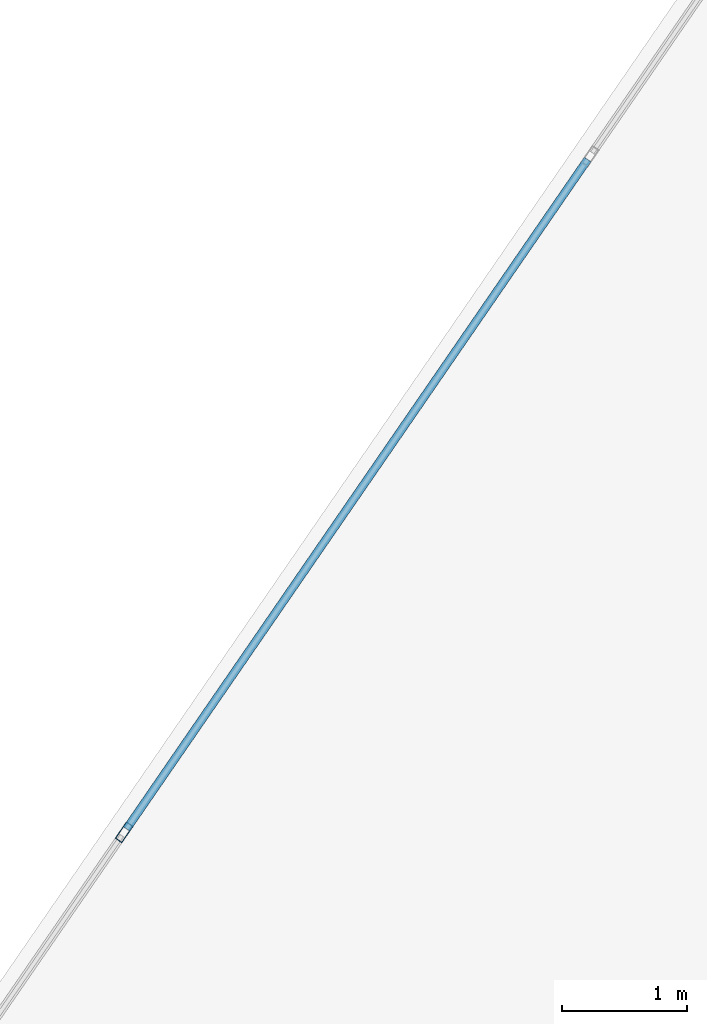
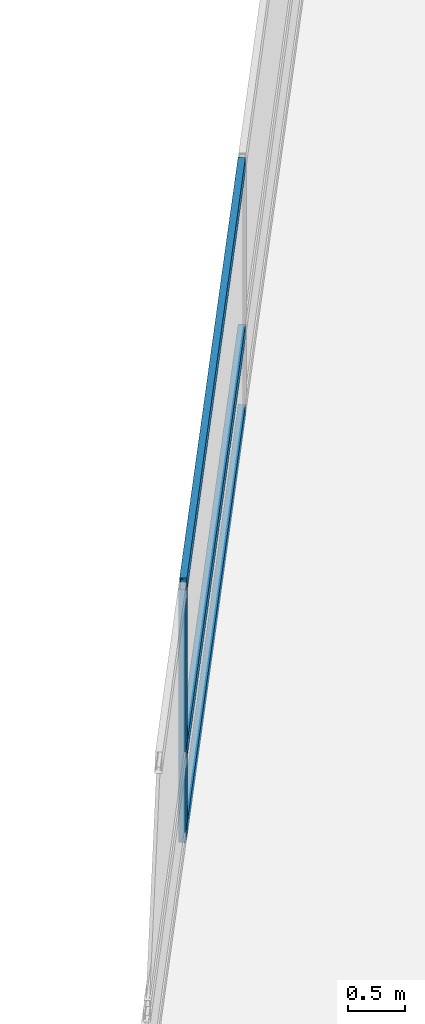
# One storey, part 15 of 26: 4 members, 1 element without a shape of its own.
"""IFC4 building model written with IfcOpenShell, lengths in metres."""

from ifc_helpers import new_model, si_unit, direction, frame, origin, origin_2d, place, context, subcontext, project, spatial, hollow_rectangle, extrude, material, layer, layer_set, material_profile, profile_set, type_object, element, aggregate, save


model = new_model("IFC4")

# Units and contexts
model_context = context("Model", 3, precision=1e-05, world=origin(), true_north=direction((0.0, 1.0)))
body_context = subcontext(model_context, "Body", "Model", "MODEL_VIEW")
ifc_project = project(units=[si_unit("LENGTHUNIT", "METRE"), si_unit("AREAUNIT", "SQUARE_METRE"), si_unit("VOLUMEUNIT", "CUBIC_METRE"), si_unit("PLANEANGLEUNIT", "RADIAN"), si_unit("MASSUNIT", "GRAM", prefix="KILO")], contexts=[model_context])

# Site, building, storey
site_placement = place(None, origin())
site = spatial("IfcSite", under=ifc_project, at=site_placement, CompositionType="ELEMENT")
building_placement = place(site_placement, origin())
building = spatial("IfcBuilding", under=site, at=building_placement, Name="Varnelok Gate Tower", CompositionType="ELEMENT")
storey_placement = place(building_placement, frame((0.0, 0.0, 45.5)))
storey = spatial("IfcBuildingStorey", under=building, at=storey_placement, Name="L10", CompositionType="ELEMENT", Elevation=45.5)

# Curtain wall, members
ifc_material = material(Name="Anodized Aluminum Alloy 6063-T6", Category="aluminium")
ifc_layer = layer(ifc_material, 0.179931640625)
ifc_layer_set = layer_set([ifc_layer], Name="Anodized Aluminum Alloy 6063-T6")
curtain_wall_type = type_object("IfcCurtainWallType", Name="CW3-HOTEL-VISION", PredefinedType="USERDEFINED", material=ifc_layer_set)
curtain_wall_placement = place(storey_placement, origin())
curtain_wall = element("IfcCurtainWall", 1, at=curtain_wall_placement, inside=storey, type_object=curtain_wall_type, Name="L10 West End Vision Curtain Wall", ObjectType="UNITISED CURTAIN WALL", PredefinedType="USERDEFINED")
ifc_material_profile_1 = material_profile(ifc_material, hollow_rectangle(XDim=0.06494140625, YDim=0.159912109375, WallThickness=0.00390625, at=origin_2d()), Name="ALU160X65X4")
ifc_profile_set_1 = profile_set([ifc_material_profile_1], Name="Anodized Aluminum Alloy 6063-T6")
member_type_1 = type_object("IfcMemberType", Name="CW-MULL-160", PredefinedType="MULLION", material=ifc_profile_set_1)
member_1_placement = place(storey_placement, frame((10.7578125, 52.865478515625, 0.0), z_axis=(0.0, 0.0, 1.0), x_axis=(-0.823532685111, 0.567268822124, 0.0)))
member_1 = element("IfcMember", 2, at=member_1_placement, type_object=member_type_1, Name="CW3 mullion 5", PredefinedType="MULLION", context=body_context, shape_type="SweptSolid", body=[
    extrude(hollow_rectangle(XDim=0.06494140625, YDim=0.159912109375, WallThickness=0.00390625, at=origin_2d()), origin(), (0.0, 0.0, 1.0), 2.72998046875),
])
ifc_material_profile_2 = material_profile(ifc_material, hollow_rectangle(XDim=0.06494140625, YDim=0.159912109375, WallThickness=0.00390625, at=origin_2d()), Name="ALU160X65X4")
ifc_profile_set_2 = profile_set([ifc_material_profile_2], Name="Anodized Aluminum Alloy 6063-T6")
member_type_2 = type_object("IfcMemberType", Name="CW-TRAN-160", PredefinedType="USERDEFINED", material=ifc_profile_set_2)
member_2_placement = place(storey_placement, frame((10.7763671875, 52.89208984375, 0.032470703125), z_axis=(0.567261662339, 0.823537616894, 0.0), x_axis=(-0.823537616894, 0.567261662339, 0.0)))
member_2 = element("IfcMember", 3, at=member_2_placement, type_object=member_type_2, Name="CW3 transom 5.1", ObjectType="TRANSOM", PredefinedType="USERDEFINED", context=body_context, shape_type="SweptSolid", body=[
    extrude(hollow_rectangle(XDim=0.06494140625, YDim=0.159912109375, WallThickness=0.00390625, at=origin_2d()), origin(), (0.0, 0.0, 1.0), 6.501708984375),
])
member_3_placement = place(storey_placement, frame((10.7763671875, 52.89208984375, 0.89990234375), z_axis=(0.567261662339, 0.823537616894, 0.0), x_axis=(-0.823537616894, 0.567261662339, 0.0)))
member_3 = element("IfcMember", 4, at=member_3_placement, type_object=member_type_2, Name="CW3 transom 5.2", ObjectType="TRANSOM", PredefinedType="USERDEFINED", context=body_context, shape_type="SweptSolid", body=[
    extrude(hollow_rectangle(XDim=0.06494140625, YDim=0.159912109375, WallThickness=0.00390625, at=origin_2d()), origin(), (0.0, 0.0, 1.0), 6.501708984375),
])
member_4_placement = place(storey_placement, frame((10.7763671875, 52.89208984375, 2.697509765625), z_axis=(0.567261662339, 0.823537616894, 0.0), x_axis=(-0.823537616894, 0.567261662339, 0.0)))
member_4 = element("IfcMember", 5, at=member_4_placement, type_object=member_type_2, Name="CW3 transom 5.3", ObjectType="TRANSOM", PredefinedType="USERDEFINED", context=body_context, shape_type="SweptSolid", body=[
    extrude(hollow_rectangle(XDim=0.06494140625, YDim=0.159912109375, WallThickness=0.00390625, at=origin_2d()), origin(), (0.0, 0.0, 1.0), 6.501708984375),
])
aggregate(curtain_wall, [member_1, member_2, member_3, member_4])

save(model, "model.ifc")
